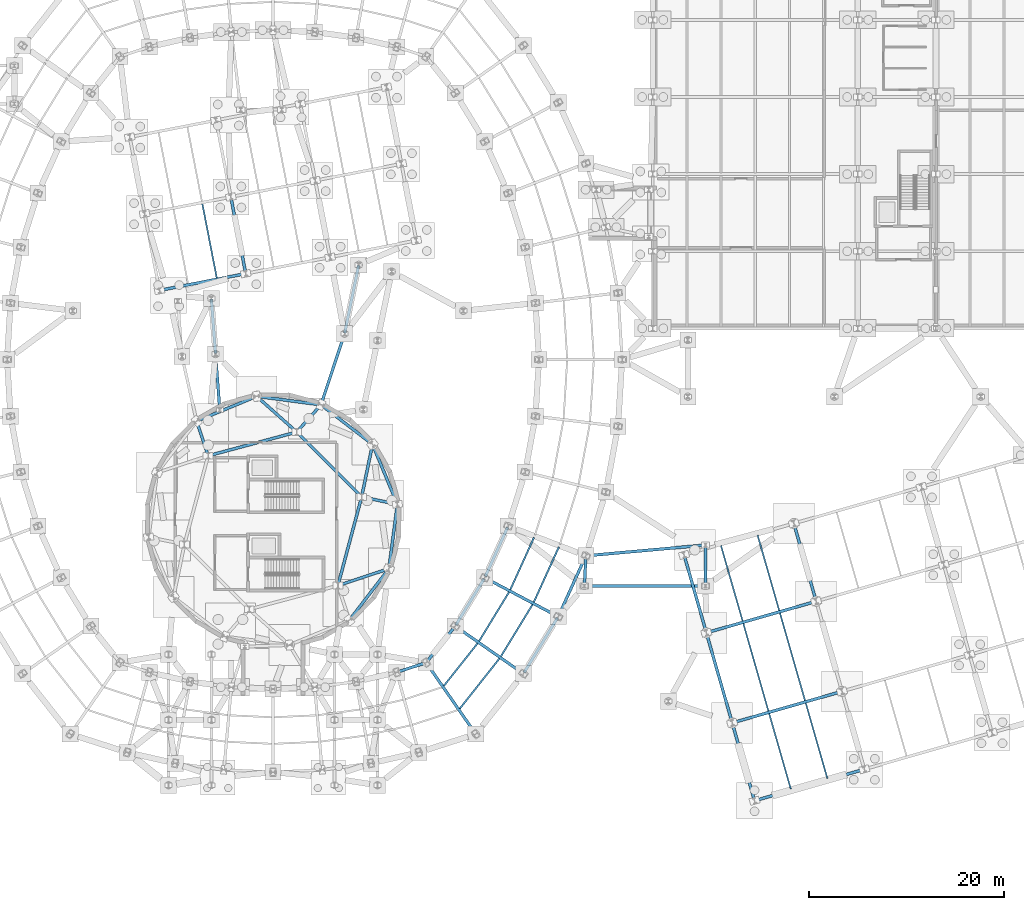
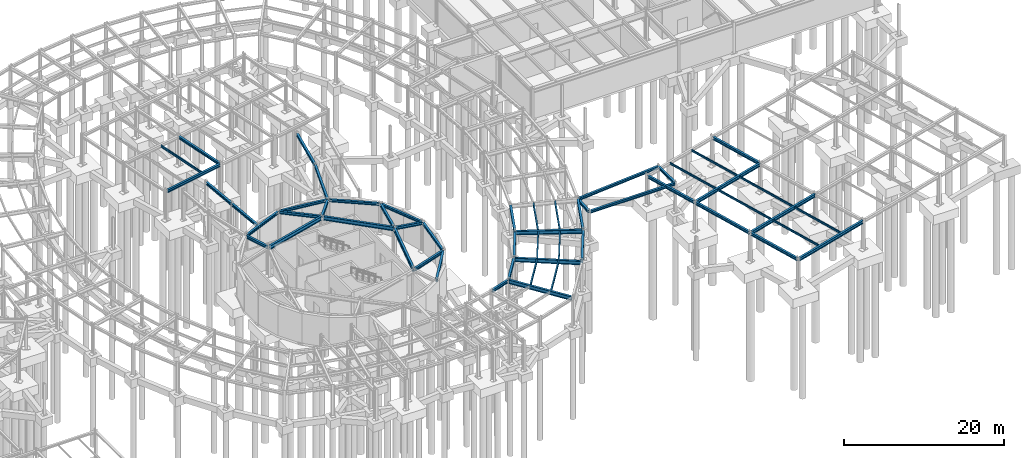
# One storey, part 31 of 50: 54 beams.
"""IFC4 building model written with IfcOpenShell, lengths in metres."""

from ifc_helpers import new_model, si_unit, direction, frame, origin, origin_2d, place, context, subcontext, project, spatial, i_section, extrude, material, material_profile, profile_set, type_object, element, save


model = new_model("IFC4")

# Units and contexts
model_context = context("Model", 3, precision=1e-05, world=origin(), true_north=direction((0.0, 1.0)))
body_context = subcontext(model_context, "Body", "Model", "MODEL_VIEW")
ifc_project = project(units=[si_unit("LENGTHUNIT", "METRE"), si_unit("AREAUNIT", "SQUARE_METRE"), si_unit("VOLUMEUNIT", "CUBIC_METRE"), si_unit("PLANEANGLEUNIT", "RADIAN"), si_unit("MASSUNIT", "GRAM", prefix="KILO")], contexts=[model_context])

# Site, building, storey
site_placement = place(None, origin())
site = spatial("IfcSite", under=ifc_project, at=site_placement, CompositionType="ELEMENT")
building_placement = place(site_placement, origin())
building = spatial("IfcBuilding", under=site, at=building_placement, Name="Varnklinge Art Gallery", CompositionType="ELEMENT")
storey_placement = place(building_placement, frame((0.0, 0.0, -4.800048828125)))
storey = spatial("IfcBuildingStorey", under=building, at=storey_placement, Name="B01", CompositionType="ELEMENT", Elevation=-4.800048828125)

# Beams
ifc_material_1 = material(Name="Steel S355", Category="steel")
ifc_material_profile_1 = material_profile(ifc_material_1, i_section(OverallWidth=0.300048828125, OverallDepth=0.590087890625, WebThickness=0.012939453125, FlangeThickness=0.02490234375, FilletRadius=0.027099609375, at=origin_2d()), Name="HEA 600")
ifc_profile_set_1 = profile_set([ifc_material_profile_1], Name="Steel S355")
beam_type_1 = type_object("IfcBeamType", Name="BM-06", PredefinedType="BEAM", material=ifc_profile_set_1)
beam_1_placement = place(storey_placement, frame((96.19091796875, 16.755126953125, 4.255126953125), z_axis=(-0.570588727281, 0.821235961402, 0.0), x_axis=(-0.821235961402, -0.570588727281, 0.0)))
element("IfcBeam", 1, at=beam_1_placement, inside=storey, type_object=beam_type_1, Name="B01 BM-06 BM-V2-L00-R01", PredefinedType="BEAM", context=body_context, shape_type="SweptSolid", body=[
    extrude(i_section(OverallWidth=0.300048828125, OverallDepth=0.590087890625, WebThickness=0.012939453125, FlangeThickness=0.02490234375, FilletRadius=0.027099609375, at=origin_2d()), origin(), (0.0, 0.0, 1.0), 8.6318359375),
])
beam_2_placement = place(storey_placement, frame((101.03515625, 22.9052734375, 4.255126953125), z_axis=(-0.820324852304, 0.571897837635, 0.0), x_axis=(-0.571897837635, -0.820324852304, 0.0)))
element("IfcBeam", 2, at=beam_2_placement, inside=storey, type_object=beam_type_1, Name="B01 BM-06 BM-V2-L00-R02", PredefinedType="BEAM", context=body_context, shape_type="SweptSolid", body=[
    extrude(i_section(OverallWidth=0.300048828125, OverallDepth=0.590087890625, WebThickness=0.012939453125, FlangeThickness=0.02490234375, FilletRadius=0.027099609375, at=origin_2d()), origin(), (0.0, 0.0, 1.0), 8.2373046875),
])
beam_3_placement = place(storey_placement, frame((104.592529296875, 28.734619140625, 4.255126953125), z_axis=(-0.883713647739, 0.468027978651, 0.0), x_axis=(-0.468027978651, -0.883713647739, 0.0)))
element("IfcBeam", 3, at=beam_3_placement, inside=storey, type_object=beam_type_1, Name="B01 BM-06 BM-V2-L00-R03", PredefinedType="BEAM", context=body_context, shape_type="SweptSolid", body=[
    extrude(i_section(OverallWidth=0.300048828125, OverallDepth=0.590087890625, WebThickness=0.012939453125, FlangeThickness=0.02490234375, FilletRadius=0.027099609375, at=origin_2d()), origin(), (0.0, 0.0, 1.0), 8.237060546875),
])
beam_4_placement = place(storey_placement, frame((84.480712890625, 41.031982421875, 4.255126953125), z_axis=(-0.707106781187, 0.707106781187, 0.0), x_axis=(-0.707106781187, -0.707106781187, 0.0)))
element("IfcBeam", 4, at=beam_4_placement, inside=storey, type_object=beam_type_1, Name="B01 BM-06 BM-V4D-L00-I1", PredefinedType="BEAM", context=body_context, shape_type="SweptSolid", body=[
    extrude(i_section(OverallWidth=0.300048828125, OverallDepth=0.590087890625, WebThickness=0.012939453125, FlangeThickness=0.02490234375, FilletRadius=0.027099609375, at=origin_2d()), origin(), (0.0, 0.0, 1.0), 9.119873046875),
])
for number, where, z_axis, x_axis, name in (
    (5, (77.797607421875, 47.54345703125, 4.255126953125), (-0.965928574877, -0.258808787016, 0.0), (0.258808787016, -0.965928574877, 0.0), "B01 BM-06 BM-V4D-L00-I2"),
    (6, (82.18310546875, 31.98828125, 4.255126953125), (0.258808787016, 0.965928574877, 0.0), (-0.965928574877, 0.258808787016, 0.0), "B01 BM-06 BM-V4D-L00-I6"),
):
    element("IfcBeam", number, at=place(storey_placement, frame(where, z_axis=z_axis, x_axis=x_axis)), inside=storey, type_object=beam_type_1, Name=name, PredefinedType="BEAM", context=body_context, shape_type="SweptSolid", body=[
        extrude(i_section(OverallWidth=0.300048828125, OverallDepth=0.590087890625, WebThickness=0.012939453125, FlangeThickness=0.02490234375, FilletRadius=0.027099609375, at=origin_2d()), origin(), (0.0, 0.0, 1.0), 9.1201171875),
    ])
ifc_material_2 = material(Name="Steel S355", Category="steel")
ifc_material_profile_2 = material_profile(ifc_material_2, i_section(OverallWidth=0.300048828125, OverallDepth=0.489990234375, WebThickness=0.011962890625, FlangeThickness=0.02294921875, FilletRadius=0.027099609375, at=origin_2d()), Name="HEA 500")
ifc_profile_set_2 = profile_set([ifc_material_profile_2], Name="Steel S355")
beam_type_2 = type_object("IfcBeamType", Name="BM-07", PredefinedType="BEAM", material=ifc_profile_set_2)
for number, where, z_axis, x_axis, name in (
    (7, (124.962158203125, 9.8466796875, 4.304931640625), (0.961262939416, 0.275633019257, 0.0), (-0.275633019257, 0.961262939416, 0.0), "B01 BM-07 BM-V6-L00-U0-0"),
    (8, (122.67431640625, 17.8251953125, 4.304931640625), (0.961262939416, 0.275633019257, 0.0), (-0.275633019257, 0.961262939416, 0.0), "B01 BM-07 BM-V6-L00-U1-0"),
    (9, (120.0283203125, 27.053466796875, 4.304931640625), (0.961262939416, 0.275633019257, 0.0), (-0.275633019257, 0.961262939416, 0.0), "B01 BM-07 BM-V6-L00-U2-0"),
):
    element("IfcBeam", number, at=place(storey_placement, frame(where, z_axis=z_axis, x_axis=x_axis)), inside=storey, type_object=beam_type_2, Name=name, PredefinedType="BEAM", context=body_context, shape_type="SweptSolid", body=[
        extrude(i_section(OverallWidth=0.300048828125, OverallDepth=0.489990234375, WebThickness=0.011962890625, FlangeThickness=0.02294921875, FilletRadius=0.027099609375, at=origin_2d()), origin(), (0.0, 0.0, 1.0), 11.419921875),
    ])
ifc_material_3 = material(Name="Steel S355", Category="steel")
ifc_material_profile_3 = material_profile(ifc_material_3, i_section(OverallWidth=0.300048828125, OverallDepth=0.43994140625, WebThickness=0.011474609375, FlangeThickness=0.02099609375, FilletRadius=0.027099609375, at=origin_2d()), Name="HEA 450")
ifc_profile_set_3 = profile_set([ifc_material_profile_3], Name="Steel S355")
beam_type_3 = type_object("IfcBeamType", Name="BM-08", PredefinedType="BEAM", material=ifc_profile_set_3)
beam_5_placement = place(storey_placement, frame((91.27294921875, 24.068603515625, 4.330078125), z_axis=(0.623138348458, 0.782111628018, 0.0), x_axis=(-0.782111628018, 0.623138348458, 0.0)))
element("IfcBeam", 10, at=beam_5_placement, inside=storey, type_object=beam_type_3, Name="B01 BM-08 BM-V2-L00-I01", PredefinedType="BEAM", context=body_context, shape_type="SweptSolid", body=[
    extrude(i_section(OverallWidth=0.300048828125, OverallDepth=0.43994140625, WebThickness=0.011474609375, FlangeThickness=0.02099609375, FilletRadius=0.027099609375, at=origin_2d()), origin(), (0.0, 0.0, 1.0), 4.498046875),
])
beam_6_placement = place(storey_placement, frame((101.222900390625, 22.944580078125, 4.330078125), z_axis=(0.520911485476, 0.853610698327, 0.0), x_axis=(-0.853610698327, 0.520911485476, 0.0)))
element("IfcBeam", 11, at=beam_6_placement, inside=storey, type_object=beam_type_3, Name="B01 BM-08 BM-V2-L00-O02", PredefinedType="BEAM", context=body_context, shape_type="SweptSolid", body=[
    extrude(i_section(OverallWidth=0.300048828125, OverallDepth=0.43994140625, WebThickness=0.011474609375, FlangeThickness=0.02099609375, FilletRadius=0.027099609375, at=origin_2d()), origin(), (0.0, 0.0, 1.0), 6.566162109375),
])
beam_7_placement = place(storey_placement, frame((94.236083984375, 27.815673828125, 4.330078125), z_axis=(0.520928443414, 0.853600349603, 0.0), x_axis=(-0.853600349603, 0.520928443414, 0.0)))
element("IfcBeam", 12, at=beam_7_placement, inside=storey, type_object=beam_type_3, Name="B01 BM-08 BM-V2-L00-I02", PredefinedType="BEAM", context=body_context, shape_type="SweptSolid", body=[
    extrude(i_section(OverallWidth=0.300048828125, OverallDepth=0.43994140625, WebThickness=0.011474609375, FlangeThickness=0.02099609375, FilletRadius=0.027099609375, at=origin_2d()), origin(), (0.0, 0.0, 1.0), 5.52978515625),
])
beam_8_placement = place(storey_placement, frame((104.774169921875, 28.79638671875, 4.330078125), z_axis=(0.413377101484, 0.910559922229, 0.0), x_axis=(-0.910559922229, 0.413377101484, 0.0)))
element("IfcBeam", 13, at=beam_8_placement, inside=storey, type_object=beam_type_3, Name="B01 BM-08 BM-V2-L00-O03", PredefinedType="BEAM", context=body_context, shape_type="SweptSolid", body=[
    extrude(i_section(OverallWidth=0.300048828125, OverallDepth=0.43994140625, WebThickness=0.011474609375, FlangeThickness=0.02099609375, FilletRadius=0.027099609375, at=origin_2d()), origin(), (0.0, 0.0, 1.0), 6.56640625),
])
beam_9_placement = place(storey_placement, frame((97.24755859375, 32.782958984375, 4.330078125), z_axis=(0.413397065821, 0.910550858531, 0.0), x_axis=(-0.910550858531, 0.413397065821, 0.0)))
element("IfcBeam", 14, at=beam_9_placement, inside=storey, type_object=beam_type_3, Name="B01 BM-08 BM-V2-L00-I03", PredefinedType="BEAM", context=body_context, shape_type="SweptSolid", body=[
    extrude(i_section(OverallWidth=0.300048828125, OverallDepth=0.43994140625, WebThickness=0.011474609375, FlangeThickness=0.02099609375, FilletRadius=0.027099609375, at=origin_2d()), origin(), (0.0, 0.0, 1.0), 5.529541015625),
])
beam_10_placement = place(storey_placement, frame((88.304443359375, 23.010498046875, 4.330078125), z_axis=(0.94984963517, 0.312707004347, 0.0), x_axis=(-0.312707004347, 0.94984963517, 0.0)))
element("IfcBeam", 15, at=beam_10_placement, inside=storey, type_object=beam_type_3, Name="B01 BM-08 BM-V2-L00-I40", PredefinedType="BEAM", context=body_context, shape_type="SweptSolid", body=[
    extrude(i_section(OverallWidth=0.300048828125, OverallDepth=0.43994140625, WebThickness=0.011474609375, FlangeThickness=0.02099609375, FilletRadius=0.027099609375, at=origin_2d()), origin(), (0.0, 0.0, 1.0), 2.893310546875),
])
beam_11_placement = place(storey_placement, frame((84.716796875, 40.904541015625, 4.330078125), z_axis=(0.979353549328, -0.202154953982, 0.0), x_axis=(0.202154953982, 0.979353549328, 0.0)))
element("IfcBeam", 16, at=beam_11_placement, inside=storey, type_object=beam_type_3, Name="B01 BM-08 BM-V4D-L00-R01", PredefinedType="BEAM", context=body_context, shape_type="SweptSolid", body=[
    extrude(i_section(OverallWidth=0.300048828125, OverallDepth=0.43994140625, WebThickness=0.011474609375, FlangeThickness=0.02099609375, FilletRadius=0.027099609375, at=origin_2d()), origin(), (0.0, 0.0, 1.0), 3.45751953125),
])
beam_12_placement = place(storey_placement, frame((84.608154296875, 41.070068359375, 4.330078125), z_axis=(0.202556149381, 0.979270650202, 0.0), x_axis=(-0.979270650202, 0.202556149381, 0.0)))
element("IfcBeam", 17, at=beam_12_placement, inside=storey, type_object=beam_type_3, Name="B01 BM-08 BM-V4D-L00-R02", PredefinedType="BEAM", context=body_context, shape_type="SweptSolid", body=[
    extrude(i_section(OverallWidth=0.300048828125, OverallDepth=0.43994140625, WebThickness=0.011474609375, FlangeThickness=0.02099609375, FilletRadius=0.027099609375, at=origin_2d()), origin(), (0.0, 0.0, 1.0), 5.223876953125),
])
beam_13_placement = place(storey_placement, frame((78.02587890625, 47.684326171875, 4.330078125), z_axis=(0.664780083084, 0.747039116201, 0.0), x_axis=(-0.747039116201, 0.664780083084, 0.0)))
element("IfcBeam", 18, at=beam_13_placement, inside=storey, type_object=beam_type_3, Name="B01 BM-08 BM-V4D-L00-R03", PredefinedType="BEAM", context=body_context, shape_type="SweptSolid", body=[
    extrude(i_section(OverallWidth=0.300048828125, OverallDepth=0.43994140625, WebThickness=0.011474609375, FlangeThickness=0.02099609375, FilletRadius=0.027099609375, at=origin_2d()), origin(), (0.0, 0.0, 1.0), 3.457763671875),
])
beam_14_placement = place(storey_placement, frame((77.828369140625, 47.6728515625, 4.330078125), z_axis=(-0.746795307155, 0.665053959623, 0.0), x_axis=(-0.665053959623, -0.746795307155, 0.0)))
element("IfcBeam", 19, at=beam_14_placement, inside=storey, type_object=beam_type_3, Name="B01 BM-08 BM-V4D-L00-R04", PredefinedType="BEAM", context=body_context, shape_type="SweptSolid", body=[
    extrude(i_section(OverallWidth=0.300048828125, OverallDepth=0.43994140625, WebThickness=0.011474609375, FlangeThickness=0.02099609375, FilletRadius=0.027099609375, at=origin_2d()), origin(), (0.0, 0.0, 1.0), 5.223876953125),
])
beam_15_placement = place(storey_placement, frame((68.80908203125, 45.27978515625, 4.330078125), z_axis=(-0.314574973389, 0.949232630137, 0.0), x_axis=(-0.949232630137, -0.314574973389, 0.0)))
element("IfcBeam", 20, at=beam_15_placement, inside=storey, type_object=beam_type_3, Name="B01 BM-08 BM-V4D-L00-R05", PredefinedType="BEAM", context=body_context, shape_type="SweptSolid", body=[
    extrude(i_section(OverallWidth=0.300048828125, OverallDepth=0.43994140625, WebThickness=0.011474609375, FlangeThickness=0.02099609375, FilletRadius=0.027099609375, at=origin_2d()), origin(), (0.0, 0.0, 1.0), 3.45751953125),
])
beam_16_placement = place(storey_placement, frame((82.27978515625, 31.897216796875, 4.330078125), z_axis=(0.949354152102, 0.314208042366, 0.0), x_axis=(-0.314208042366, 0.949354152102, 0.0)))
element("IfcBeam", 21, at=beam_16_placement, inside=storey, type_object=beam_type_3, Name="B01 BM-08 BM-V4D-L00-R12", PredefinedType="BEAM", context=body_context, shape_type="SweptSolid", body=[
    extrude(i_section(OverallWidth=0.300048828125, OverallDepth=0.43994140625, WebThickness=0.011474609375, FlangeThickness=0.02099609375, FilletRadius=0.027099609375, at=origin_2d()), origin(), (0.0, 0.0, 1.0), 5.223876953125),
])
beam_17_placement = place(storey_placement, frame((64.010009765625, 62.11669921875, 4.330078125), z_axis=(0.98162282025, 0.190831440713, 0.0), x_axis=(-0.190831440713, 0.98162282025, 0.0)))
element("IfcBeam", 22, at=beam_17_placement, inside=storey, type_object=beam_type_3, Name="B01 BM-08 BM-V4B-L00-U0-0", PredefinedType="BEAM", context=body_context, shape_type="SweptSolid", body=[
    extrude(i_section(OverallWidth=0.300048828125, OverallDepth=0.43994140625, WebThickness=0.011474609375, FlangeThickness=0.02099609375, FilletRadius=0.027099609375, at=origin_2d()), origin(), (0.0, 0.0, 1.0), 8.719970703125),
])
beam_18_placement = place(storey_placement, frame((124.788818359375, 9.94287109375, 4.330078125), z_axis=(-0.275621630307, 0.961266205016, 0.0), x_axis=(-0.961266205016, -0.275621630307, 0.0)))
element("IfcBeam", 23, at=beam_18_placement, inside=storey, type_object=beam_type_3, Name="B01 BM-08 BM-V6-L00-V0-0", PredefinedType="BEAM", context=body_context, shape_type="SweptSolid", body=[
    extrude(i_section(OverallWidth=0.300048828125, OverallDepth=0.43994140625, WebThickness=0.011474609375, FlangeThickness=0.02099609375, FilletRadius=0.027099609375, at=origin_2d()), origin(), (0.0, 0.0, 1.0), 8.019775390625),
])
beam_19_placement = place(storey_placement, frame((122.501220703125, 17.92138671875, 4.330078125), z_axis=(-0.275658609922, 0.961255601168, 0.0), x_axis=(-0.961255601168, -0.275658609922, 0.0)))
element("IfcBeam", 24, at=beam_19_placement, inside=storey, type_object=beam_type_3, Name="B01 BM-08 BM-V6-L00-V0-1", PredefinedType="BEAM", context=body_context, shape_type="SweptSolid", body=[
    extrude(i_section(OverallWidth=0.300048828125, OverallDepth=0.43994140625, WebThickness=0.011474609375, FlangeThickness=0.02099609375, FilletRadius=0.027099609375, at=origin_2d()), origin(), (0.0, 0.0, 1.0), 9.31982421875),
])
for number, where, z_axis, x_axis, name in (
    (25, (119.85498046875, 27.1494140625, 4.330078125), (-0.275649759333, 0.961258139201, 0.0), (-0.961258139201, -0.275649759333, 0.0), "B01 BM-08 BM-V6-L00-V0-2"),
    (26, (131.101806640625, 30.374267578125, 4.330078125), (-0.275649759333, 0.961258139201, 0.0), (-0.961258139201, -0.275649759333, 0.0), "B01 BM-08 BM-V6-L00-V1-2"),
):
    element("IfcBeam", number, at=place(storey_placement, frame(where, z_axis=z_axis, x_axis=x_axis)), inside=storey, type_object=beam_type_3, Name=name, PredefinedType="BEAM", context=body_context, shape_type="SweptSolid", body=[
        extrude(i_section(OverallWidth=0.300048828125, OverallDepth=0.43994140625, WebThickness=0.011474609375, FlangeThickness=0.02099609375, FilletRadius=0.027099609375, at=origin_2d()), origin(), (0.0, 0.0, 1.0), 8.02001953125),
    ])
ifc_material_4 = material(Name="Steel S355", Category="steel")
ifc_material_profile_4 = material_profile(ifc_material_4, i_section(OverallWidth=0.300048828125, OverallDepth=0.389892578125, WebThickness=0.010986328125, FlangeThickness=0.01904296875, FilletRadius=0.027099609375, at=origin_2d()), Name="HEA 400")
ifc_profile_set_4 = profile_set([ifc_material_profile_4], Name="Steel S355")
beam_type_4 = type_object("IfcBeamType", Name="BM-09", PredefinedType="BEAM", material=ifc_profile_set_4)
beam_20_placement = place(storey_placement, frame((72.6806640625, 63.94482421875, 4.35498046875), z_axis=(-0.190822257393, 0.98162460548, 0.0), x_axis=(-0.98162460548, -0.190822257393, 0.0)))
element("IfcBeam", 27, at=beam_20_placement, inside=storey, type_object=beam_type_4, Name="B01 BM-09 BM-V4B-L00-V1-0", PredefinedType="BEAM", context=body_context, shape_type="SweptSolid", body=[
    extrude(i_section(OverallWidth=0.300048828125, OverallDepth=0.389892578125, WebThickness=0.010986328125, FlangeThickness=0.01904296875, FilletRadius=0.027099609375, at=origin_2d()), origin(), (0.0, 0.0, 1.0), 7.719970703125),
])
beam_21_placement = place(storey_placement, frame((107.4599609375, 31.800048828125, 4.35498046875), z_axis=(1.0, 0.0, 0.0), x_axis=(0.0, 1.0, 0.0)))
element("IfcBeam", 28, at=beam_21_placement, inside=storey, type_object=beam_type_4, Name="B01 BM-09 BM-LNK-V6-L00-1", PredefinedType="BEAM", context=body_context, shape_type="SweptSolid", body=[
    extrude(i_section(OverallWidth=0.300048828125, OverallDepth=0.389892578125, WebThickness=0.010986328125, FlangeThickness=0.01904296875, FilletRadius=0.027099609375, at=origin_2d()), origin(), (0.0, 0.0, 1.0), 12.280029296875),
])
beam_22_placement = place(storey_placement, frame((119.800048828125, 31.860107421875, 4.35498046875), z_axis=(0.0, 1.0, 0.0), x_axis=(-1.0, 0.0, 0.0)))
element("IfcBeam", 29, at=beam_22_placement, inside=storey, type_object=beam_type_4, Name="B01 BM-09 BM-LNK-V6-L00-2", PredefinedType="BEAM", context=body_context, shape_type="SweptSolid", body=[
    extrude(i_section(OverallWidth=0.300048828125, OverallDepth=0.389892578125, WebThickness=0.010986328125, FlangeThickness=0.01904296875, FilletRadius=0.027099609375, at=origin_2d()), origin(), (0.0, 0.0, 1.0), 4.079833984375),
])
beam_23_placement = place(storey_placement, frame((119.740234375, 35.99462890625, 4.35498046875), z_axis=(-0.996015643897, -0.089178680818, 0.0), x_axis=(0.089178680818, -0.996015643897, 0.0)))
element("IfcBeam", 30, at=beam_23_placement, inside=storey, type_object=beam_type_4, Name="B01 BM-09 BM-LNK-V6-L00-3", PredefinedType="BEAM", context=body_context, shape_type="SweptSolid", body=[
    extrude(i_section(OverallWidth=0.300048828125, OverallDepth=0.389892578125, WebThickness=0.010986328125, FlangeThickness=0.01904296875, FilletRadius=0.027099609375, at=origin_2d()), origin(), (0.0, 0.0, 1.0), 12.1826171875),
])
beam_24_placement = place(storey_placement, frame((107.543701171875, 34.843017578125, 4.35498046875), z_axis=(-0.047168979072, -0.998886924238, 0.0), x_axis=(0.998886924238, -0.047168979072, 0.0)))
element("IfcBeam", 31, at=beam_24_placement, inside=storey, type_object=beam_type_4, Name="B01 BM-09 BM-LNK-V6-L00-4", PredefinedType="BEAM", context=body_context, shape_type="SweptSolid", body=[
    extrude(i_section(OverallWidth=0.300048828125, OverallDepth=0.389892578125, WebThickness=0.010986328125, FlangeThickness=0.01904296875, FilletRadius=0.027099609375, at=origin_2d()), origin(), (0.0, 0.0, 1.0), 2.986572265625),
])
beam_25_placement = place(storey_placement, frame((70.043212890625, 49.911865234375, 4.35498046875), z_axis=(-0.075877545571, 0.997117143609, 0.0), x_axis=(-0.997117143609, -0.075877545571, 0.0)))
element("IfcBeam", 32, at=beam_25_placement, inside=storey, type_object=beam_type_4, Name="B01 BM-09 BM-BRG-1-B01-L1", PredefinedType="BEAM", context=body_context, shape_type="SweptSolid", body=[
    extrude(i_section(OverallWidth=0.300048828125, OverallDepth=0.389892578125, WebThickness=0.010986328125, FlangeThickness=0.01904296875, FilletRadius=0.027099609375, at=origin_2d()), origin(), (0.0, 0.0, 1.0), 5.608154296875),
])
beam_26_placement = place(storey_placement, frame((69.6083984375, 55.62353515625, 4.35498046875), z_axis=(-0.07587425208, 0.997117394228, 0.0), x_axis=(-0.997117394228, -0.07587425208, 0.0)))
element("IfcBeam", 33, at=beam_26_placement, inside=storey, type_object=beam_type_4, Name="B01 BM-09 BM-BRG-1-B01-L2", PredefinedType="BEAM", context=body_context, shape_type="SweptSolid", body=[
    extrude(i_section(OverallWidth=0.300048828125, OverallDepth=0.389892578125, WebThickness=0.010986328125, FlangeThickness=0.01904296875, FilletRadius=0.027099609375, at=origin_2d()), origin(), (0.0, 0.0, 1.0), 5.6083984375),
])
beam_27_placement = place(storey_placement, frame((80.436279296875, 50.428955078125, 4.35498046875), z_axis=(0.314567746452, 0.949235025108, 0.0), x_axis=(-0.949235025108, 0.314567746452, 0.0)))
element("IfcBeam", 34, at=beam_27_placement, inside=storey, type_object=beam_type_4, Name="B01 BM-09 BM-BRG-2-B01-R1", PredefinedType="BEAM", context=body_context, shape_type="SweptSolid", body=[
    extrude(i_section(OverallWidth=0.300048828125, OverallDepth=0.389892578125, WebThickness=0.010986328125, FlangeThickness=0.01904296875, FilletRadius=0.027099609375, at=origin_2d()), origin(), (0.0, 0.0, 1.0), 7.546875),
])
beam_28_placement = place(storey_placement, frame((82.84130859375, 57.70849609375, 4.35498046875), z_axis=(0.201420569222, 0.979504851593, 0.0), x_axis=(-0.979504851593, 0.201420569222, 0.0)))
element("IfcBeam", 35, at=beam_28_placement, inside=storey, type_object=beam_type_4, Name="B01 BM-09 BM-BRG-2-B01-R2", PredefinedType="BEAM", context=body_context, shape_type="SweptSolid", body=[
    extrude(i_section(OverallWidth=0.300048828125, OverallDepth=0.389892578125, WebThickness=0.010986328125, FlangeThickness=0.01904296875, FilletRadius=0.027099609375, at=origin_2d()), origin(), (0.0, 0.0, 1.0), 7.0859375),
])
ifc_material_5 = material(Name="Steel S355", Category="steel")
ifc_material_profile_5 = material_profile(ifc_material_5, i_section(OverallWidth=0.179931640625, OverallDepth=0.39990234375, WebThickness=0.008544921875, FlangeThickness=0.013427734375, FilletRadius=0.02099609375, at=origin_2d()), Name="IPE 400")
ifc_profile_set_5 = profile_set([ifc_material_profile_5], Name="Steel S355")
beam_type_5 = type_object("IfcBeamType", Name="JST-05", PredefinedType="JOIST", material=ifc_profile_set_5)
beam_29_placement = place(storey_placement, frame((94.62890625, 19.23828125, 4.35009765625), z_axis=(0.620207823033, 0.784437541331, 0.0), x_axis=(-0.784437541331, 0.620207823033, 0.0)))
element("IfcBeam", 36, at=beam_29_placement, inside=storey, type_object=beam_type_5, Name="B01 JST-05 JST-V2-L00-01-1", PredefinedType="JOIST", context=body_context, shape_type="SweptSolid", body=[
    extrude(i_section(OverallWidth=0.179931640625, OverallDepth=0.39990234375, WebThickness=0.008544921875, FlangeThickness=0.013427734375, FilletRadius=0.02099609375, at=origin_2d()), origin(), (0.0, 0.0, 1.0), 6.5439453125),
])
beam_30_placement = place(storey_placement, frame((93.001708984375, 21.580322265625, 4.35009765625), z_axis=(0.621380748712, 0.783508752427, 0.0), x_axis=(-0.783508752427, 0.621380748712, 0.0)))
element("IfcBeam", 37, at=beam_30_placement, inside=storey, type_object=beam_type_5, Name="B01 JST-05 JST-V2-L00-01-2", PredefinedType="JOIST", context=body_context, shape_type="SweptSolid", body=[
    extrude(i_section(OverallWidth=0.179931640625, OverallDepth=0.39990234375, WebThickness=0.008544921875, FlangeThickness=0.013427734375, FilletRadius=0.02099609375, at=origin_2d()), origin(), (0.0, 0.0, 1.0), 5.552001953125),
])
beam_31_placement = place(storey_placement, frame((98.847412109375, 24.600830078125, 4.35009765625), z_axis=(0.520923848619, 0.853603153661, 0.0), x_axis=(-0.853603153661, 0.520923848619, 0.0)))
element("IfcBeam", 38, at=beam_31_placement, inside=storey, type_object=beam_type_5, Name="B01 JST-05 JST-V2-L00-02-1", PredefinedType="JOIST", context=body_context, shape_type="SweptSolid", body=[
    extrude(i_section(OverallWidth=0.179931640625, OverallDepth=0.39990234375, WebThickness=0.008544921875, FlangeThickness=0.013427734375, FilletRadius=0.02099609375, at=origin_2d()), origin(), (0.0, 0.0, 1.0), 6.213623046875),
])
beam_32_placement = place(storey_placement, frame((96.611572265625, 26.15966796875, 4.35009765625), z_axis=(0.520951279717, 0.853586412826, 0.0), x_axis=(-0.853586412826, 0.520951279717, 0.0)))
element("IfcBeam", 39, at=beam_32_placement, inside=storey, type_object=beam_type_5, Name="B01 JST-05 JST-V2-L00-02-2", PredefinedType="JOIST", context=body_context, shape_type="SweptSolid", body=[
    extrude(i_section(OverallWidth=0.179931640625, OverallDepth=0.39990234375, WebThickness=0.008544921875, FlangeThickness=0.013427734375, FilletRadius=0.02099609375, at=origin_2d()), origin(), (0.0, 0.0, 1.0), 5.8818359375),
])
beam_33_placement = place(storey_placement, frame((102.215087890625, 30.15185546875, 4.35009765625), z_axis=(0.413409198448, 0.910545350127, 0.0), x_axis=(-0.910545350127, 0.413409198448, 0.0)))
element("IfcBeam", 40, at=beam_33_placement, inside=storey, type_object=beam_type_5, Name="B01 JST-05 JST-V2-L00-03-1", PredefinedType="JOIST", context=body_context, shape_type="SweptSolid", body=[
    extrude(i_section(OverallWidth=0.179931640625, OverallDepth=0.39990234375, WebThickness=0.008544921875, FlangeThickness=0.013427734375, FilletRadius=0.02099609375, at=origin_2d()), origin(), (0.0, 0.0, 1.0), 6.2138671875),
])
beam_34_placement = place(storey_placement, frame((99.806396484375, 31.427490234375, 4.35009765625), z_axis=(0.413430786601, 0.910535548285, 0.0), x_axis=(-0.910535548285, 0.413430786601, 0.0)))
element("IfcBeam", 41, at=beam_34_placement, inside=storey, type_object=beam_type_5, Name="B01 JST-05 JST-V2-L00-03-2", PredefinedType="JOIST", context=body_context, shape_type="SweptSolid", body=[
    extrude(i_section(OverallWidth=0.179931640625, OverallDepth=0.39990234375, WebThickness=0.008544921875, FlangeThickness=0.013427734375, FilletRadius=0.02099609375, at=origin_2d()), origin(), (0.0, 0.0, 1.0), 5.88232421875),
])
ifc_material_6 = material(Name="Steel S355", Category="steel")
ifc_material_profile_6 = material_profile(ifc_material_6, i_section(OverallWidth=0.159912109375, OverallDepth=0.330078125, WebThickness=0.007568359375, FlangeThickness=0.011474609375, FilletRadius=0.01806640625, at=origin_2d()), Name="IPE 330")
ifc_profile_set_6 = profile_set([ifc_material_profile_6], Name="Steel S355")
beam_type_6 = type_object("IfcBeamType", Name="JST-07", PredefinedType="JOIST", material=ifc_profile_set_6)
beam_35_placement = place(storey_placement, frame((69.735595703125, 63.372314453125, 4.385009765625), z_axis=(-0.190785861445, 0.981631679946, 0.0), x_axis=(-0.981631679946, -0.190785861445, 0.0)))
element("IfcBeam", 42, at=beam_35_placement, inside=storey, type_object=beam_type_6, Name="B01 JST-07 JST-V4B-L00-0-0-2", PredefinedType="JOIST", context=body_context, shape_type="SweptSolid", body=[
    extrude(i_section(OverallWidth=0.159912109375, OverallDepth=0.330078125, WebThickness=0.007568359375, FlangeThickness=0.011474609375, FilletRadius=0.01806640625, at=origin_2d()), origin(), (0.0, 0.0, 1.0), 7.72021484375),
])
ifc_material_7 = material(Name="Steel S355", Category="steel")
ifc_material_profile_7 = material_profile(ifc_material_7, i_section(OverallWidth=0.14990234375, OverallDepth=0.300048828125, WebThickness=0.007080078125, FlangeThickness=0.0107421875, FilletRadius=0.014892578125, at=origin_2d()), Name="IPE 300")
ifc_profile_set_7 = profile_set([ifc_material_profile_7], Name="Steel S355")
beam_type_7 = type_object("IfcBeamType", Name="JST-08", PredefinedType="JOIST", material=ifc_profile_set_7)
beam_36_placement = place(storey_placement, frame((128.537841796875, 11.017578125, 4.400146484375), z_axis=(-0.2756416934, 0.961260452146, 0.0), x_axis=(-0.961260452146, -0.2756416934, 0.0)))
element("IfcBeam", 43, at=beam_36_placement, inside=storey, type_object=beam_type_7, Name="B01 JST-08 JST-V6-L00-0-0-1", PredefinedType="JOIST", context=body_context, shape_type="SweptSolid", body=[
    extrude(i_section(OverallWidth=0.14990234375, OverallDepth=0.300048828125, WebThickness=0.007080078125, FlangeThickness=0.0107421875, FilletRadius=0.014892578125, at=origin_2d()), origin(), (0.0, 0.0, 1.0), 8.020263671875),
])
beam_37_placement = place(storey_placement, frame((132.286865234375, 12.0927734375, 4.400146484375), z_axis=(-0.275649759333, 0.961258139201, 0.0), x_axis=(-0.961258139201, -0.275649759333, 0.0)))
element("IfcBeam", 44, at=beam_37_placement, inside=storey, type_object=beam_type_7, Name="B01 JST-08 JST-V6-L00-0-0-2", PredefinedType="JOIST", context=body_context, shape_type="SweptSolid", body=[
    extrude(i_section(OverallWidth=0.14990234375, OverallDepth=0.300048828125, WebThickness=0.007080078125, FlangeThickness=0.0107421875, FilletRadius=0.014892578125, at=origin_2d()), origin(), (0.0, 0.0, 1.0), 8.02001953125),
])
for number, where, z_axis, x_axis, name in (
    (45, (126.25, 18.99609375, 4.400146484375), (-0.27562746375, 0.961264532388, 0.0), (-0.961264532388, -0.27562746375, 0.0), "B01 JST-08 JST-V6-L00-0-1-1"),
    (46, (129.9990234375, 20.0712890625, 4.400146484375), (-0.27562746375, 0.961264532388, 0.0), (-0.961264532388, -0.27562746375, 0.0), "B01 JST-08 JST-V6-L00-0-1-2"),
):
    element("IfcBeam", number, at=place(storey_placement, frame(where, z_axis=z_axis, x_axis=x_axis)), inside=storey, type_object=beam_type_7, Name=name, PredefinedType="JOIST", context=body_context, shape_type="SweptSolid", body=[
        extrude(i_section(OverallWidth=0.14990234375, OverallDepth=0.300048828125, WebThickness=0.007080078125, FlangeThickness=0.0107421875, FilletRadius=0.014892578125, at=origin_2d()), origin(), (0.0, 0.0, 1.0), 9.320068359375),
    ])
beam_38_placement = place(storey_placement, frame((123.60400390625, 28.224365234375, 4.400146484375), z_axis=(-0.275649759333, 0.961258139201, 0.0), x_axis=(-0.961258139201, -0.275649759333, 0.0)))
element("IfcBeam", 47, at=beam_38_placement, inside=storey, type_object=beam_type_7, Name="B01 JST-08 JST-V6-L00-0-2-1", PredefinedType="JOIST", context=body_context, shape_type="SweptSolid", body=[
    extrude(i_section(OverallWidth=0.14990234375, OverallDepth=0.300048828125, WebThickness=0.007080078125, FlangeThickness=0.0107421875, FilletRadius=0.014892578125, at=origin_2d()), origin(), (0.0, 0.0, 1.0), 8.02001953125),
])
beam_39_placement = place(storey_placement, frame((127.352783203125, 29.29931640625, 4.400146484375), z_axis=(-0.275621630307, 0.961266205016, 0.0), x_axis=(-0.961266205016, -0.275621630307, 0.0)))
element("IfcBeam", 48, at=beam_39_placement, inside=storey, type_object=beam_type_7, Name="B01 JST-08 JST-V6-L00-0-2-2", PredefinedType="JOIST", context=body_context, shape_type="SweptSolid", body=[
    extrude(i_section(OverallWidth=0.14990234375, OverallDepth=0.300048828125, WebThickness=0.007080078125, FlangeThickness=0.0107421875, FilletRadius=0.014892578125, at=origin_2d()), origin(), (0.0, 0.0, 1.0), 8.019775390625),
])
ifc_material_8 = material(Name="Steel S355", Category="steel")
ifc_material_profile_8 = material_profile(ifc_material_8, i_section(OverallWidth=0.300048828125, OverallDepth=0.389892578125, WebThickness=0.010986328125, FlangeThickness=0.01904296875, FilletRadius=0.027099609375, at=origin_2d()), Name="HEA 400")
ifc_profile_set_8 = profile_set([ifc_material_profile_8], Name="Steel S355")
beam_type_8 = type_object("IfcBeamType", Name="SPB-03", PredefinedType="SPANDREL", material=ifc_profile_set_8)
for number, where, z_axis, x_axis, name in (
    (49, (88.1865234375, 40.306640625, 4.35498046875), (-0.382666510137, 0.923886541746, 0.0), (-0.923886541746, -0.382666510137, 0.0), "B01 SPB-03 BM-V4D-L00-P01"),
    (50, (85.58349609375, 46.40771484375, 4.35498046875), (-0.793344185287, 0.608773359857, 0.0), (-0.608773359857, -0.793344185287, 0.0), "B01 SPB-03 BM-V4D-L00-P02"),
):
    element("IfcBeam", number, at=place(storey_placement, frame(where, z_axis=z_axis, x_axis=x_axis)), inside=storey, type_object=beam_type_8, Name=name, PredefinedType="SPANDREL", context=body_context, shape_type="SweptSolid", body=[
        extrude(i_section(OverallWidth=0.300048828125, OverallDepth=0.389892578125, WebThickness=0.010986328125, FlangeThickness=0.01904296875, FilletRadius=0.027099609375, at=origin_2d()), origin(), (0.0, 0.0, 1.0), 6.37158203125),
    ])
beam_40_placement = place(storey_placement, frame((80.27880859375, 50.39013671875, 4.35498046875), z_axis=(-0.991448034575, 0.130502087099, 0.0), x_axis=(-0.130502087099, -0.991448034575, 0.0)))
element("IfcBeam", 51, at=beam_40_placement, inside=storey, type_object=beam_type_8, Name="B01 SPB-03 BM-V4D-L00-P03", PredefinedType="SPANDREL", context=body_context, shape_type="SweptSolid", body=[
    extrude(i_section(OverallWidth=0.300048828125, OverallDepth=0.389892578125, WebThickness=0.010986328125, FlangeThickness=0.01904296875, FilletRadius=0.027099609375, at=origin_2d()), origin(), (0.0, 0.0, 1.0), 6.371826171875),
])
for number, where, z_axis, x_axis, name in (
    (52, (73.693359375, 51.1865234375, 4.35498046875), (-0.923886541746, -0.382666510137, 0.0), (0.382666510137, -0.923886541746, 0.0), "B01 SPB-03 BM-V4D-L00-P04"),
    (53, (83.40771484375, 28.41650390625, 4.35498046875), (0.608773359857, 0.793344185287, 0.0), (-0.793344185287, 0.608773359857, 0.0), "B01 SPB-03 BM-V4D-L00-P11"),
):
    element("IfcBeam", number, at=place(storey_placement, frame(where, z_axis=z_axis, x_axis=x_axis)), inside=storey, type_object=beam_type_8, Name=name, PredefinedType="SPANDREL", context=body_context, shape_type="SweptSolid", body=[
        extrude(i_section(OverallWidth=0.300048828125, OverallDepth=0.389892578125, WebThickness=0.010986328125, FlangeThickness=0.01904296875, FilletRadius=0.027099609375, at=origin_2d()), origin(), (0.0, 0.0, 1.0), 6.37158203125),
    ])
beam_41_placement = place(storey_placement, frame((87.39013671875, 33.72119140625, 4.35498046875), z_axis=(0.130502087099, 0.991448034575, 0.0), x_axis=(-0.991448034575, 0.130502087099, 0.0)))
element("IfcBeam", 54, at=beam_41_placement, inside=storey, type_object=beam_type_8, Name="B01 SPB-03 BM-V4D-L00-P12", PredefinedType="SPANDREL", context=body_context, shape_type="SweptSolid", body=[
    extrude(i_section(OverallWidth=0.300048828125, OverallDepth=0.389892578125, WebThickness=0.010986328125, FlangeThickness=0.01904296875, FilletRadius=0.027099609375, at=origin_2d()), origin(), (0.0, 0.0, 1.0), 6.371826171875),
])

save(model, "model.ifc")
